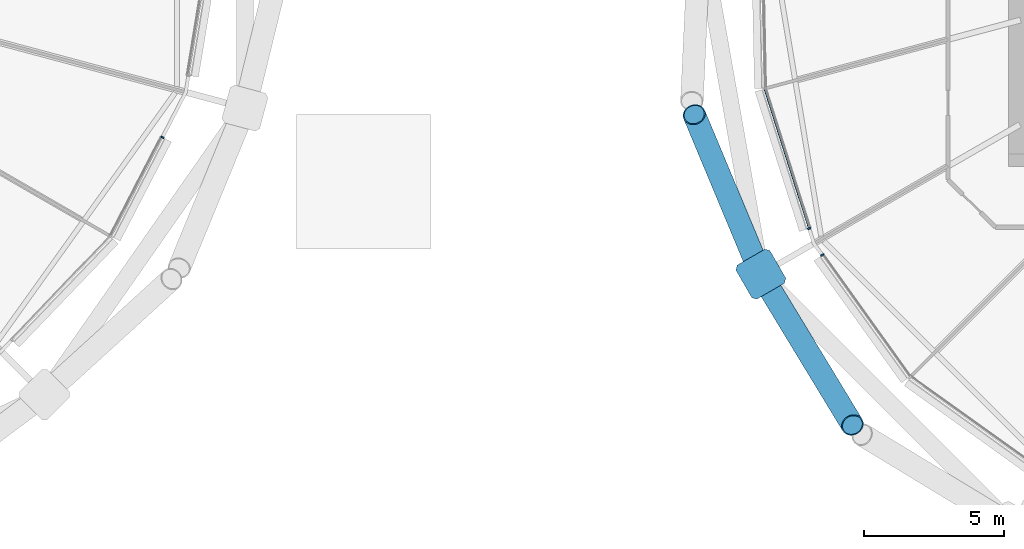
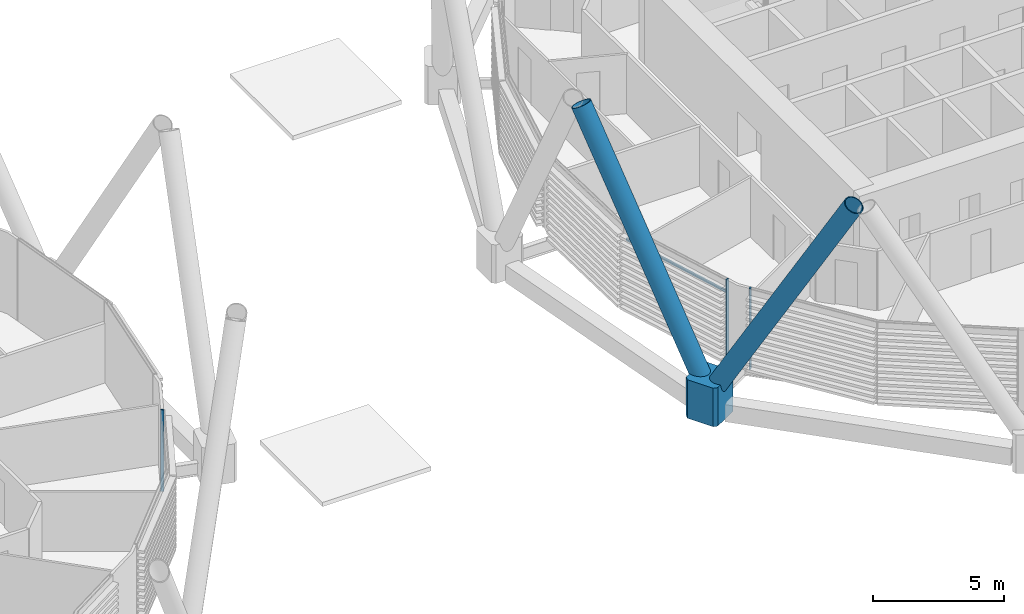
# One storey, part 7 of 34: 7 members, 2 elements without a shape of their own.
"""IFC4 building model written with IfcOpenShell, lengths in metres."""

from ifc_helpers import new_model, si_unit, direction, frame, origin, origin_2d, place, context, subcontext, project, spatial, polyline, rectangle, hollow_circle, outline, extrude, material, material_profile, profile_set, type_object, element, aggregate, save


model = new_model("IFC4")

# Units and contexts
model_context = context("Model", 3, precision=1e-05, world=origin(), true_north=direction((0.0, 1.0)))
body_context = subcontext(model_context, "Body", "Model", "MODEL_VIEW")
ifc_project = project(units=[si_unit("LENGTHUNIT", "METRE"), si_unit("AREAUNIT", "SQUARE_METRE"), si_unit("VOLUMEUNIT", "CUBIC_METRE"), si_unit("PLANEANGLEUNIT", "RADIAN"), si_unit("MASSUNIT", "GRAM", prefix="KILO")], contexts=[model_context])

# Site, building, storey
site_placement = place(None, origin())
site = spatial("IfcSite", under=ifc_project, at=site_placement, CompositionType="ELEMENT")
building_placement = place(site_placement, origin())
building = spatial("IfcBuilding", under=site, at=building_placement, Name="Rimbun Link Towers", CompositionType="ELEMENT")
storey_placement = place(building_placement, frame((0.0, 0.0, 41.39990234375)))
storey = spatial("IfcBuildingStorey", under=building, at=storey_placement, Name="L09", CompositionType="ELEMENT", Elevation=41.39990234375)

# Curtain wall, member
ifc_material_1 = material(Name="Aluminium 6063-T6 and low-iron glass", Category="aluminium")
curtain_wall_type = type_object("IfcCurtainWallType", Name="CW1 unitised vision wall", PredefinedType="NOTDEFINED", material=ifc_material_1)
curtain_wall_1_placement = place(storey_placement, origin())
curtain_wall_1 = element("IfcCurtainWall", 1, at=curtain_wall_1_placement, inside=storey, type_object=curtain_wall_type, Name="CW1 L09 T1", PredefinedType="NOTDEFINED")
ifc_material_2 = material(Name="Aluminium 6063-T6", Category="aluminium")
ifc_material_profile_1 = material_profile(ifc_material_2, rectangle(XDim=0.1201171875, YDim=0.06005859375, at=origin_2d()), Name="MULLION 60X120")
ifc_profile_set_1 = profile_set([ifc_material_profile_1], Name="Aluminium 6063-T6")
member_type_1 = type_object("IfcMemberType", Name="CW1 mullion 60X120", PredefinedType="MULLION", material=ifc_profile_set_1)
member_1_placement = place(storey_placement, frame((-10.933349609375, -7.411376953125, 0.0), z_axis=(0.0, 0.0, 1.0), x_axis=(0.888149357416, -0.459554913934, 0.0)))
member_1 = element("IfcMember", 2, at=member_1_placement, type_object=member_type_1, Name="CW1 mullion", PredefinedType="MULLION", context=body_context, shape_type="SweptSolid", body=[
    extrude(rectangle(XDim=0.1201171875, YDim=0.06005859375, at=origin_2d()), origin(), (0.0, 0.0, 1.0), 3.800048828125),
])
aggregate(curtain_wall_1, [member_1])

# Curtain wall, members
curtain_wall_2_placement = place(storey_placement, origin())
curtain_wall_2 = element("IfcCurtainWall", 3, at=curtain_wall_2_placement, inside=storey, type_object=curtain_wall_type, Name="CW1 L09 T2", PredefinedType="NOTDEFINED")
member_2_placement = place(storey_placement, frame((12.168701171875, -10.670166015625, 0.0), z_axis=(0.0, 0.0, 1.0), x_axis=(-0.952967950316, -0.303071090127, 0.0)))
member_2 = element("IfcMember", 4, at=member_2_placement, type_object=member_type_1, Name="CW1 mullion", PredefinedType="MULLION", context=body_context, shape_type="SweptSolid", body=[
    extrude(rectangle(XDim=0.1201171875, YDim=0.06005859375, at=origin_2d()), origin(), (0.0, 0.0, 1.0), 3.800048828125),
])
member_3_placement = place(storey_placement, frame((12.63525390625, -11.617431640625, 0.0), z_axis=(0.0, 0.0, 1.0), x_axis=(-0.812475373202, -0.582995512796, 0.0)))
member_3 = element("IfcMember", 5, at=member_3_placement, type_object=member_type_1, Name="CW1 mullion", PredefinedType="MULLION", context=body_context, shape_type="SweptSolid", body=[
    extrude(rectangle(XDim=0.1201171875, YDim=0.06005859375, at=origin_2d()), origin(), (0.0, 0.0, 1.0), 3.800048828125),
])
ifc_material_3 = material(Name="Aluminium 6063-T6", Category="aluminium")
ifc_material_profile_2 = material_profile(ifc_material_3, rectangle(XDim=0.06005859375, YDim=0.1201171875, at=origin_2d()), Name="TRANSOM 60X120")
ifc_profile_set_2 = profile_set([ifc_material_profile_2], Name="Aluminium 6063-T6")
member_type_2 = type_object("IfcMemberType", Name="CW1 transom 60X120", PredefinedType="USERDEFINED", material=ifc_profile_set_2)
member_4_placement = place(storey_placement, frame((12.161376953125, -10.640869140625, 3.2001953125), z_axis=(-0.303079178722, 0.952965377873, 0.0), x_axis=(-0.952965377873, -0.303079178722, 0.0)))
member_4 = element("IfcMember", 6, at=member_4_placement, type_object=member_type_2, Name="CW1 transom", ObjectType="TRANSOM", PredefinedType="USERDEFINED", context=body_context, shape_type="SweptSolid", body=[
    extrude(rectangle(XDim=0.06005859375, YDim=0.1201171875, at=origin_2d()), origin(), (0.0, 0.0, 1.0), 5.18115234375),
])
aggregate(curtain_wall_2, [member_2, member_3, member_4])

# Members
ifc_material_4 = material(Name="Steel S460NH", Category="steel")
ifc_material_profile_3 = material_profile(ifc_material_4, hollow_circle(Radius=0.406494140625, WallThickness=0.0400390625, at=origin_2d()), Name="Diagrid diagonal CHS 813x40")
ifc_profile_set_3 = profile_set([ifc_material_profile_3], Name="Steel S460NH")
member_type_3 = type_object("IfcMemberType", Name="Diagrid diagonal CHS 813x40", PredefinedType="BRACE", material=ifc_profile_set_3)
member_5_placement = place(storey_placement, frame((10.349365234375, -12.07470703125, 0.435791015625), z_axis=(-0.189177823856, 0.453077353044, 0.871167413945), x_axis=(-0.922790616155, -0.385301802144, 0.0)))
element("IfcMember", 7, at=member_5_placement, inside=storey, type_object=member_type_3, Name="Diagrid diagonal T2 L09-L12 11a", PredefinedType="BRACE", context=body_context, shape_type="SweptSolid", body=[
    extrude(hollow_circle(Radius=0.406494140625, WallThickness=0.0400390625, at=origin_2d()), origin(), (0.0, 0.0, 1.0), 12.0859375),
])
member_6_placement = place(storey_placement, frame((10.5732421875, -12.51416015625, 0.43359375), z_axis=(0.258666804949, -0.426107998581, 0.86690452621), x_axis=(0.854824555129, 0.518917122427, 0.0)))
element("IfcMember", 8, at=member_6_placement, inside=storey, type_object=member_type_3, Name="Diagrid diagonal T2 L09-L12 11b", PredefinedType="BRACE", context=body_context, shape_type="SweptSolid", body=[
    extrude(hollow_circle(Radius=0.406494140625, WallThickness=0.0400390625, at=origin_2d()), origin(), (0.0, 0.0, 1.0), 12.150146484375),
])
ifc_material_5 = material(Name="Cast steel G20Mn5+QT, Rp0.2 300 MPa", Category="steel")
ifc_material_profile_4 = material_profile(ifc_material_5, outline(polyline([(0.699951171875, -0.570068359375), (0.699951171875, 0.570068359375), (0.570068359375, 0.699951171875), (-0.570068359375, 0.699951171875), (-0.699951171875, 0.570068359375), (-0.699951171875, -0.570068359375), (-0.570068359375, -0.699951171875), (0.570068359375, -0.699951171875), (0.699951171875, -0.570068359375)])), Name="NODE 1400x1400")
ifc_profile_set_4 = profile_set([ifc_material_profile_4], Name="Cast steel G20Mn5+QT, Rp0.2 300 MPa")
member_type_4 = type_object("IfcMemberType", Name="Diagrid node cast 1400", PredefinedType="USERDEFINED", material=ifc_profile_set_4)
member_7_placement = place(storey_placement, frame((10.44384765625, -12.301025390625, -0.89990234375), z_axis=(0.0, 0.0, 1.0), x_axis=(-0.866025403784, -0.5, 0.0)))
element("IfcMember", 9, at=member_7_placement, inside=storey, type_object=member_type_4, Name="Diagrid node L09 11", ObjectType="Diagrid node", PredefinedType="USERDEFINED", context=body_context, shape_type="SweptSolid", body=[
    extrude(outline(polyline([(0.699951171875, -0.570068359375), (0.699951171875, 0.570068359375), (0.570068359375, 0.699951171875), (-0.570068359375, 0.699951171875), (-0.699951171875, 0.570068359375), (-0.699951171875, -0.570068359375), (-0.570068359375, -0.699951171875), (0.570068359375, -0.699951171875), (0.699951171875, -0.570068359375)])), origin(), (0.0, 0.0, 1.0), 1.800048828125),
])

save(model, "model.ifc")
